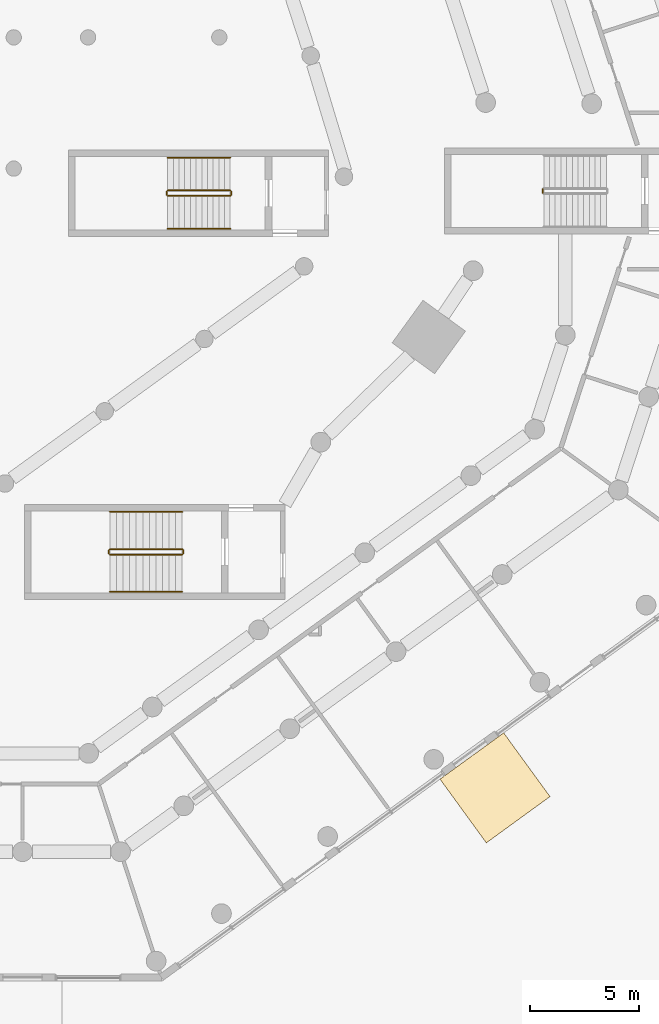
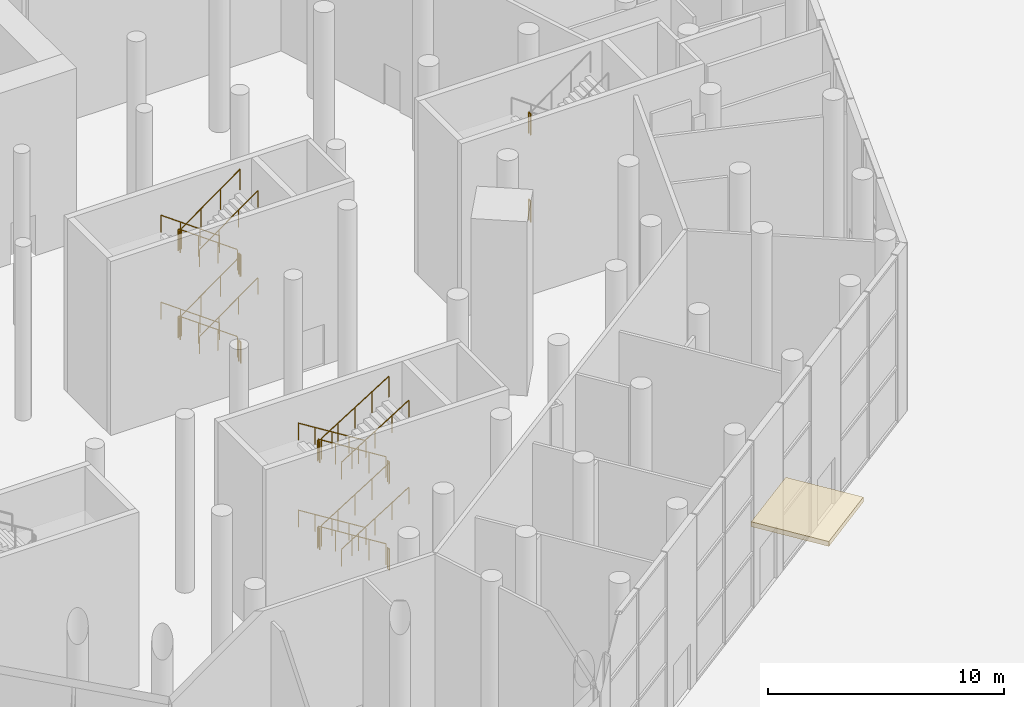
# One storey, part 21 of 25: 26 railings, 1 covering.
"""IFC4 building model written with IfcOpenShell, lengths in metres."""

from ifc_helpers import new_model, si_unit, direction, frame, origin, origin_2d, place, context, subcontext, project, spatial, rectangle, circle, extrude, material, layer, layer_set, type_object, element, save


model = new_model("IFC4")

# Units and contexts
model_context = context("Model", 3, precision=1e-05, world=origin(), true_north=direction((0.0, 1.0)))
body_context = subcontext(model_context, "Body", "Model", "MODEL_VIEW")
ifc_project = project(units=[si_unit("LENGTHUNIT", "METRE"), si_unit("AREAUNIT", "SQUARE_METRE"), si_unit("VOLUMEUNIT", "CUBIC_METRE"), si_unit("PLANEANGLEUNIT", "RADIAN"), si_unit("MASSUNIT", "GRAM", prefix="KILO")], contexts=[model_context])

# Site, building, storey
site_placement = place(None, origin())
site = spatial("IfcSite", under=ifc_project, at=site_placement, CompositionType="ELEMENT")
building_placement = place(site_placement, origin())
building = spatial("IfcBuilding", under=site, at=building_placement, Name="White Candle Pilgrim Tower", CompositionType="ELEMENT")
storey_placement = place(building_placement, origin())
storey = spatial("IfcBuildingStorey", under=building, at=storey_placement, Name="L00", CompositionType="ELEMENT", Elevation=0.0)

# Covering
ifc_material_1 = material(Name="Zinc standing seam on steel S355", Category="steel")
ifc_layer = layer(ifc_material_1, 0.25)
ifc_layer_set = layer_set([ifc_layer], Name="Entrance canopy CL1 250")
covering_type = type_object("IfcCoveringType", Name="Entrance canopy CL1 250", PredefinedType="ROOFING", material=ifc_layer_set)
covering_placement = place(storey_placement, frame((94.607421875, 32.682861328125, 4.39990234375), z_axis=(0.0, 0.0, 1.0), x_axis=(0.809016991061, 0.587785256853, 0.0)))
element("IfcCovering", 1, at=covering_placement, inside=storey, type_object=covering_type, Name="Entrance canopy SE", PredefinedType="ROOFING", context=body_context, shape_type="SweptSolid", body=[
    extrude(rectangle(XDim=3.60009765625, YDim=3.60009765625, at=origin_2d()), origin(), (0.0, 0.0, 1.0), 0.25),
])

# Railings
ifc_material_2 = material(Name="Stainless steel", Category="steel")
railing_type_1 = type_object("IfcRailingType", Name="Stair guard stainless steel 1100 mm", PredefinedType="GUARDRAIL", material=ifc_material_2)
railing_1_placement = place(storey_placement, frame((82.5, 60.0, 0.1875)))
element("IfcRailing", 2, at=railing_1_placement, inside=storey, type_object=railing_type_1, Name="L00 ST4 stair guard 1", PredefinedType="GUARDRAIL", context=body_context, shape_type="SweptSolid", body=[
    extrude(circle(Radius=0.02392578125, at=origin_2d()), frame((0.0, 0.0, 1.076171875), z_axis=(-0.811100754333, 0.0, 0.584906459462), x_axis=(0.0, -1.0, 0.0)), (0.0, 0.0, 1.0), 3.526123046875),
    extrude(circle(Radius=0.02099609375, at=origin_2d()), origin(), (0.0, 0.0, 1.0), 1.052001953125),
    extrude(circle(Radius=0.02099609375, at=origin_2d()), frame((-0.953369140625, 0.0, 0.6875)), (0.0, 0.0, 1.0), 1.052001953125),
    extrude(circle(Radius=0.02099609375, at=origin_2d()), frame((-1.90673828125, 0.0, 1.375)), (0.0, 0.0, 1.0), 1.052001953125),
    extrude(circle(Radius=0.02099609375, at=origin_2d()), frame((-2.860107421875, 0.0, 2.0625)), (0.0, 0.0, 1.0), 1.052001953125),
])
railing_2_placement = place(storey_placement, frame((79.590087890625, 59.949951171875, 2.25)))
element("IfcRailing", 3, at=railing_2_placement, inside=storey, type_object=railing_type_1, Name="L00 ST4 stair guard 2", PredefinedType="GUARDRAIL", context=body_context, shape_type="SweptSolid", body=[
    extrude(circle(Radius=0.02392578125, at=origin_2d()), frame((0.0, 0.0, 1.076171875), z_axis=(0.0, -1.0, 0.0), x_axis=(1.0, 0.0, 0.0)), (0.0, 0.0, 1.0), 0.14990234375),
    extrude(circle(Radius=0.02099609375, at=origin_2d()), origin(), (0.0, 0.0, 1.0), 1.052001953125),
    extrude(circle(Radius=0.02099609375, at=origin_2d()), frame((0.0, -0.14990234375, 0.0)), (0.0, 0.0, 1.0), 1.052001953125),
])
railing_3_placement = place(storey_placement, frame((79.639892578125, 59.75, 2.4375)))
element("IfcRailing", 4, at=railing_3_placement, inside=storey, type_object=railing_type_1, Name="L00 ST4 stair guard 3", PredefinedType="GUARDRAIL", context=body_context, shape_type="SweptSolid", body=[
    extrude(circle(Radius=0.02392578125, at=origin_2d()), frame((0.0, 0.0, 1.076171875), z_axis=(0.811100754333, 0.0, 0.584906459462), x_axis=(0.0, 1.0, 0.0)), (0.0, 0.0, 1.0), 3.526123046875),
    extrude(circle(Radius=0.02099609375, at=origin_2d()), origin(), (0.0, 0.0, 1.0), 1.052001953125),
    extrude(circle(Radius=0.02099609375, at=origin_2d()), frame((0.953369140625, 0.0, 0.6875)), (0.0, 0.0, 1.0), 1.052001953125),
    extrude(circle(Radius=0.02099609375, at=origin_2d()), frame((1.90673828125, 0.0, 1.375)), (0.0, 0.0, 1.0), 1.052001953125),
    extrude(circle(Radius=0.02099609375, at=origin_2d()), frame((2.860107421875, 0.0, 2.0625)), (0.0, 0.0, 1.0), 1.052001953125),
])
railing_4_placement = place(storey_placement, frame((82.550048828125, 59.949951171875, 4.5)))
element("IfcRailing", 5, at=railing_4_placement, inside=storey, type_object=railing_type_1, Name="L00 ST4 stair guard 4", PredefinedType="GUARDRAIL", context=body_context, shape_type="SweptSolid", body=[
    extrude(circle(Radius=0.02392578125, at=origin_2d()), frame((0.0, 0.0, 1.076171875), z_axis=(0.0, -1.0, 0.0), x_axis=(1.0, 0.0, 0.0)), (0.0, 0.0, 1.0), 0.14990234375),
    extrude(circle(Radius=0.02099609375, at=origin_2d()), origin(), (0.0, 0.0, 1.0), 1.052001953125),
    extrude(circle(Radius=0.02099609375, at=origin_2d()), frame((0.0, -0.14990234375, 0.0)), (0.0, 0.0, 1.0), 1.052001953125),
])
railing_5_placement = place(storey_placement, frame((82.5, 60.0, 4.6875)))
element("IfcRailing", 6, at=railing_5_placement, inside=storey, type_object=railing_type_1, Name="L00 ST4 stair guard 5", PredefinedType="GUARDRAIL", context=body_context, shape_type="SweptSolid", body=[
    extrude(circle(Radius=0.02392578125, at=origin_2d()), frame((0.0, 0.0, 1.076171875), z_axis=(-0.811100754333, 0.0, 0.584906459462), x_axis=(0.0, -1.0, 0.0)), (0.0, 0.0, 1.0), 3.526123046875),
    extrude(circle(Radius=0.02099609375, at=origin_2d()), origin(), (0.0, 0.0, 1.0), 1.052001953125),
    extrude(circle(Radius=0.02099609375, at=origin_2d()), frame((-0.953369140625, 0.0, 0.6875)), (0.0, 0.0, 1.0), 1.052001953125),
    extrude(circle(Radius=0.02099609375, at=origin_2d()), frame((-1.90673828125, 0.0, 1.375)), (0.0, 0.0, 1.0), 1.052001953125),
    extrude(circle(Radius=0.02099609375, at=origin_2d()), frame((-2.860107421875, 0.0, 2.0625)), (0.0, 0.0, 1.0), 1.052001953125),
])
railing_6_placement = place(storey_placement, frame((79.590087890625, 59.949951171875, 6.75)))
element("IfcRailing", 7, at=railing_6_placement, inside=storey, type_object=railing_type_1, Name="L00 ST4 stair guard 6", PredefinedType="GUARDRAIL", context=body_context, shape_type="SweptSolid", body=[
    extrude(circle(Radius=0.02392578125, at=origin_2d()), frame((0.0, 0.0, 1.076171875), z_axis=(0.0, -1.0, 0.0), x_axis=(1.0, 0.0, 0.0)), (0.0, 0.0, 1.0), 0.14990234375),
    extrude(circle(Radius=0.02099609375, at=origin_2d()), origin(), (0.0, 0.0, 1.0), 1.052001953125),
    extrude(circle(Radius=0.02099609375, at=origin_2d()), frame((0.0, -0.14990234375, 0.0)), (0.0, 0.0, 1.0), 1.052001953125),
])
railing_7_placement = place(storey_placement, frame((79.639892578125, 59.75, 6.9375)))
element("IfcRailing", 8, at=railing_7_placement, inside=storey, type_object=railing_type_1, Name="L00 ST4 stair guard 7", PredefinedType="GUARDRAIL", context=body_context, shape_type="SweptSolid", body=[
    extrude(circle(Radius=0.02392578125, at=origin_2d()), frame((0.0, 0.0, 1.076171875), z_axis=(0.811100754333, 0.0, 0.584906459462), x_axis=(0.0, 1.0, 0.0)), (0.0, 0.0, 1.0), 3.526123046875),
    extrude(circle(Radius=0.02099609375, at=origin_2d()), origin(), (0.0, 0.0, 1.0), 1.052001953125),
    extrude(circle(Radius=0.02099609375, at=origin_2d()), frame((0.953369140625, 0.0, 0.6875)), (0.0, 0.0, 1.0), 1.052001953125),
    extrude(circle(Radius=0.02099609375, at=origin_2d()), frame((1.90673828125, 0.0, 1.375)), (0.0, 0.0, 1.0), 1.052001953125),
    extrude(circle(Radius=0.02099609375, at=origin_2d()), frame((2.860107421875, 0.0, 2.0625)), (0.0, 0.0, 1.0), 1.052001953125),
])
railing_8_placement = place(storey_placement, frame((82.550048828125, 59.949951171875, 0.0)))
element("IfcRailing", 9, at=railing_8_placement, inside=storey, type_object=railing_type_1, Name="L00 ST4 stair guard 8", PredefinedType="GUARDRAIL", context=body_context, shape_type="SweptSolid", body=[
    extrude(circle(Radius=0.02392578125, at=origin_2d()), frame((0.0, 0.0, 1.076171875), z_axis=(0.0, -1.0, 0.0), x_axis=(1.0, 0.0, 0.0)), (0.0, 0.0, 1.0), 0.14990234375),
    extrude(circle(Radius=0.02099609375, at=origin_2d()), origin(), (0.0, 0.0, 1.0), 1.052001953125),
    extrude(circle(Radius=0.02099609375, at=origin_2d()), frame((0.0, -0.14990234375, 0.0)), (0.0, 0.0, 1.0), 1.052001953125),
])
railing_9_placement = place(storey_placement, frame((80.300048828125, 43.60009765625, 0.1875)))
element("IfcRailing", 10, at=railing_9_placement, inside=storey, type_object=railing_type_1, Name="L00 ST7 stair guard 1", PredefinedType="GUARDRAIL", context=body_context, shape_type="SweptSolid", body=[
    extrude(circle(Radius=0.02392578125, at=origin_2d()), frame((0.0, 0.0, 1.076171875), z_axis=(-0.848001828478, 0.0, 0.529993300805), x_axis=(0.0, -1.0, 0.0)), (0.0, 0.0, 1.0), 3.8916015625),
    extrude(circle(Radius=0.02099609375, at=origin_2d()), origin(), (0.0, 0.0, 1.0), 1.052001953125),
    extrude(circle(Radius=0.02099609375, at=origin_2d()), frame((-0.824951171875, 0.0, 0.515625)), (0.0, 0.0, 1.0), 1.052001953125),
    extrude(circle(Radius=0.02099609375, at=origin_2d()), frame((-1.64990234375, 0.0, 1.03125)), (0.0, 0.0, 1.0), 1.052001953125),
    extrude(circle(Radius=0.02099609375, at=origin_2d()), frame((-2.47509765625, 0.0, 1.546875)), (0.0, 0.0, 1.0), 1.052001953125),
    extrude(circle(Radius=0.02099609375, at=origin_2d()), frame((-3.300048828125, 0.0, 2.0625)), (0.0, 0.0, 1.0), 1.052001953125),
])
railing_10_placement = place(storey_placement, frame((76.949951171875, 43.550048828125, 2.25)))
element("IfcRailing", 11, at=railing_10_placement, inside=storey, type_object=railing_type_1, Name="L00 ST7 stair guard 2", PredefinedType="GUARDRAIL", context=body_context, shape_type="SweptSolid", body=[
    extrude(circle(Radius=0.02392578125, at=origin_2d()), frame((0.0, 0.0, 1.076171875), z_axis=(0.0, -1.0, 0.0), x_axis=(1.0, 0.0, 0.0)), (0.0, 0.0, 1.0), 0.150146484375),
    extrude(circle(Radius=0.02099609375, at=origin_2d()), origin(), (0.0, 0.0, 1.0), 1.052001953125),
    extrude(circle(Radius=0.02099609375, at=origin_2d()), frame((0.0, -0.150146484375, 0.0)), (0.0, 0.0, 1.0), 1.052001953125),
])
railing_11_placement = place(storey_placement, frame((77.0, 43.35009765625, 2.4375)))
element("IfcRailing", 12, at=railing_11_placement, inside=storey, type_object=railing_type_1, Name="L00 ST7 stair guard 3", PredefinedType="GUARDRAIL", context=body_context, shape_type="SweptSolid", body=[
    extrude(circle(Radius=0.02392578125, at=origin_2d()), frame((0.0, 0.0, 1.076171875), z_axis=(0.848001828478, 0.0, 0.529993300805), x_axis=(0.0, 1.0, 0.0)), (0.0, 0.0, 1.0), 3.8916015625),
    extrude(circle(Radius=0.02099609375, at=origin_2d()), origin(), (0.0, 0.0, 1.0), 1.052001953125),
    extrude(circle(Radius=0.02099609375, at=origin_2d()), frame((0.824951171875, 0.0, 0.515625)), (0.0, 0.0, 1.0), 1.052001953125),
    extrude(circle(Radius=0.02099609375, at=origin_2d()), frame((1.64990234375, 0.0, 1.03125)), (0.0, 0.0, 1.0), 1.052001953125),
    extrude(circle(Radius=0.02099609375, at=origin_2d()), frame((2.47509765625, 0.0, 1.546875)), (0.0, 0.0, 1.0), 1.052001953125),
    extrude(circle(Radius=0.02099609375, at=origin_2d()), frame((3.300048828125, 0.0, 2.0625)), (0.0, 0.0, 1.0), 1.052001953125),
])
railing_12_placement = place(storey_placement, frame((80.35009765625, 43.550048828125, 4.5)))
element("IfcRailing", 13, at=railing_12_placement, inside=storey, type_object=railing_type_1, Name="L00 ST7 stair guard 4", PredefinedType="GUARDRAIL", context=body_context, shape_type="SweptSolid", body=[
    extrude(circle(Radius=0.02392578125, at=origin_2d()), frame((0.0, 0.0, 1.076171875), z_axis=(0.0, -1.0, 0.0), x_axis=(1.0, 0.0, 0.0)), (0.0, 0.0, 1.0), 0.150146484375),
    extrude(circle(Radius=0.02099609375, at=origin_2d()), origin(), (0.0, 0.0, 1.0), 1.052001953125),
    extrude(circle(Radius=0.02099609375, at=origin_2d()), frame((0.0, -0.150146484375, 0.0)), (0.0, 0.0, 1.0), 1.052001953125),
])
railing_13_placement = place(storey_placement, frame((80.300048828125, 43.60009765625, 4.6875)))
element("IfcRailing", 14, at=railing_13_placement, inside=storey, type_object=railing_type_1, Name="L00 ST7 stair guard 5", PredefinedType="GUARDRAIL", context=body_context, shape_type="SweptSolid", body=[
    extrude(circle(Radius=0.02392578125, at=origin_2d()), frame((0.0, 0.0, 1.076171875), z_axis=(-0.848001828478, 0.0, 0.529993300805), x_axis=(0.0, -1.0, 0.0)), (0.0, 0.0, 1.0), 3.8916015625),
    extrude(circle(Radius=0.02099609375, at=origin_2d()), origin(), (0.0, 0.0, 1.0), 1.052001953125),
    extrude(circle(Radius=0.02099609375, at=origin_2d()), frame((-0.824951171875, 0.0, 0.515625)), (0.0, 0.0, 1.0), 1.052001953125),
    extrude(circle(Radius=0.02099609375, at=origin_2d()), frame((-1.64990234375, 0.0, 1.03125)), (0.0, 0.0, 1.0), 1.052001953125),
    extrude(circle(Radius=0.02099609375, at=origin_2d()), frame((-2.47509765625, 0.0, 1.546875)), (0.0, 0.0, 1.0), 1.052001953125),
    extrude(circle(Radius=0.02099609375, at=origin_2d()), frame((-3.300048828125, 0.0, 2.0625)), (0.0, 0.0, 1.0), 1.052001953125),
])
railing_14_placement = place(storey_placement, frame((76.949951171875, 43.550048828125, 6.75)))
element("IfcRailing", 15, at=railing_14_placement, inside=storey, type_object=railing_type_1, Name="L00 ST7 stair guard 6", PredefinedType="GUARDRAIL", context=body_context, shape_type="SweptSolid", body=[
    extrude(circle(Radius=0.02392578125, at=origin_2d()), frame((0.0, 0.0, 1.076171875), z_axis=(0.0, -1.0, 0.0), x_axis=(1.0, 0.0, 0.0)), (0.0, 0.0, 1.0), 0.150146484375),
    extrude(circle(Radius=0.02099609375, at=origin_2d()), origin(), (0.0, 0.0, 1.0), 1.052001953125),
    extrude(circle(Radius=0.02099609375, at=origin_2d()), frame((0.0, -0.150146484375, 0.0)), (0.0, 0.0, 1.0), 1.052001953125),
])
railing_15_placement = place(storey_placement, frame((77.0, 43.35009765625, 6.9375)))
element("IfcRailing", 16, at=railing_15_placement, inside=storey, type_object=railing_type_1, Name="L00 ST7 stair guard 7", PredefinedType="GUARDRAIL", context=body_context, shape_type="SweptSolid", body=[
    extrude(circle(Radius=0.02392578125, at=origin_2d()), frame((0.0, 0.0, 1.076171875), z_axis=(0.848001828478, 0.0, 0.529993300805), x_axis=(0.0, 1.0, 0.0)), (0.0, 0.0, 1.0), 3.8916015625),
    extrude(circle(Radius=0.02099609375, at=origin_2d()), origin(), (0.0, 0.0, 1.0), 1.052001953125),
    extrude(circle(Radius=0.02099609375, at=origin_2d()), frame((0.824951171875, 0.0, 0.515625)), (0.0, 0.0, 1.0), 1.052001953125),
    extrude(circle(Radius=0.02099609375, at=origin_2d()), frame((1.64990234375, 0.0, 1.03125)), (0.0, 0.0, 1.0), 1.052001953125),
    extrude(circle(Radius=0.02099609375, at=origin_2d()), frame((2.47509765625, 0.0, 1.546875)), (0.0, 0.0, 1.0), 1.052001953125),
    extrude(circle(Radius=0.02099609375, at=origin_2d()), frame((3.300048828125, 0.0, 2.0625)), (0.0, 0.0, 1.0), 1.052001953125),
])
for number, where, name in (
    (17, (80.35009765625, 43.550048828125, 0.0), "L00 ST7 stair guard 8"),
    (18, (96.7900390625, 60.050048828125, 2.25), "L00 ST9 stair guard 2"),
    (19, (96.7900390625, 60.050048828125, 6.75), "L00 ST9 stair guard 6"),
):
    element("IfcRailing", number, at=place(storey_placement, frame(where)), inside=storey, type_object=railing_type_1, Name=name, PredefinedType="GUARDRAIL", context=body_context, shape_type="SweptSolid", body=[
        extrude(circle(Radius=0.02392578125, at=origin_2d()), frame((0.0, 0.0, 1.076171875), z_axis=(0.0, -1.0, 0.0), x_axis=(1.0, 0.0, 0.0)), (0.0, 0.0, 1.0), 0.150146484375),
        extrude(circle(Radius=0.02099609375, at=origin_2d()), origin(), (0.0, 0.0, 1.0), 1.052001953125),
        extrude(circle(Radius=0.02099609375, at=origin_2d()), frame((0.0, -0.150146484375, 0.0)), (0.0, 0.0, 1.0), 1.052001953125),
    ])
railing_type_2 = type_object("IfcRailingType", Name="Stair handrail stainless steel", PredefinedType="HANDRAIL", material=ifc_material_2)
railing_16_placement = place(storey_placement, frame((82.5, 61.5, 0.1875)))
element("IfcRailing", 20, at=railing_16_placement, inside=storey, type_object=railing_type_2, Name="L00 ST4 stair handrail 1", PredefinedType="HANDRAIL", context=body_context, shape_type="SweptSolid", body=[
    extrude(circle(Radius=0.02392578125, at=origin_2d()), frame((0.0, 0.0, 0.8759765625), z_axis=(-0.811100754333, 0.0, 0.584906459462), x_axis=(0.0, -1.0, 0.0)), (0.0, 0.0, 1.0), 3.526123046875),
    extrude(circle(Radius=0.02099609375, at=origin_2d()), origin(), (0.0, 0.0, 1.0), 0.851806640625),
    extrude(circle(Radius=0.02099609375, at=origin_2d()), frame((-0.953369140625, 0.0, 0.6875)), (0.0, 0.0, 1.0), 0.851806640625),
    extrude(circle(Radius=0.02099609375, at=origin_2d()), frame((-1.90673828125, 0.0, 1.375)), (0.0, 0.0, 1.0), 0.851806640625),
    extrude(circle(Radius=0.02099609375, at=origin_2d()), frame((-2.860107421875, 0.0, 2.0625)), (0.0, 0.0, 1.0), 0.851806640625),
])
railing_17_placement = place(storey_placement, frame((79.639892578125, 58.25, 2.4375)))
element("IfcRailing", 21, at=railing_17_placement, inside=storey, type_object=railing_type_2, Name="L00 ST4 stair handrail 2", PredefinedType="HANDRAIL", context=body_context, shape_type="SweptSolid", body=[
    extrude(circle(Radius=0.02392578125, at=origin_2d()), frame((0.0, 0.0, 0.8759765625), z_axis=(0.811100754333, 0.0, 0.584906459462), x_axis=(0.0, 1.0, 0.0)), (0.0, 0.0, 1.0), 3.526123046875),
    extrude(circle(Radius=0.02099609375, at=origin_2d()), origin(), (0.0, 0.0, 1.0), 0.851806640625),
    extrude(circle(Radius=0.02099609375, at=origin_2d()), frame((0.953369140625, 0.0, 0.6875)), (0.0, 0.0, 1.0), 0.851806640625),
    extrude(circle(Radius=0.02099609375, at=origin_2d()), frame((1.90673828125, 0.0, 1.375)), (0.0, 0.0, 1.0), 0.851806640625),
    extrude(circle(Radius=0.02099609375, at=origin_2d()), frame((2.860107421875, 0.0, 2.0625)), (0.0, 0.0, 1.0), 0.851806640625),
])
railing_18_placement = place(storey_placement, frame((82.5, 61.5, 4.6875)))
element("IfcRailing", 22, at=railing_18_placement, inside=storey, type_object=railing_type_2, Name="L00 ST4 stair handrail 3", PredefinedType="HANDRAIL", context=body_context, shape_type="SweptSolid", body=[
    extrude(circle(Radius=0.02392578125, at=origin_2d()), frame((0.0, 0.0, 0.8759765625), z_axis=(-0.811100754333, 0.0, 0.584906459462), x_axis=(0.0, -1.0, 0.0)), (0.0, 0.0, 1.0), 3.526123046875),
    extrude(circle(Radius=0.02099609375, at=origin_2d()), origin(), (0.0, 0.0, 1.0), 0.851806640625),
    extrude(circle(Radius=0.02099609375, at=origin_2d()), frame((-0.953369140625, 0.0, 0.6875)), (0.0, 0.0, 1.0), 0.851806640625),
    extrude(circle(Radius=0.02099609375, at=origin_2d()), frame((-1.90673828125, 0.0, 1.375)), (0.0, 0.0, 1.0), 0.851806640625),
    extrude(circle(Radius=0.02099609375, at=origin_2d()), frame((-2.860107421875, 0.0, 2.0625)), (0.0, 0.0, 1.0), 0.851806640625),
])
railing_19_placement = place(storey_placement, frame((79.639892578125, 58.25, 6.9375)))
element("IfcRailing", 23, at=railing_19_placement, inside=storey, type_object=railing_type_2, Name="L00 ST4 stair handrail 4", PredefinedType="HANDRAIL", context=body_context, shape_type="SweptSolid", body=[
    extrude(circle(Radius=0.02392578125, at=origin_2d()), frame((0.0, 0.0, 0.8759765625), z_axis=(0.811100754333, 0.0, 0.584906459462), x_axis=(0.0, 1.0, 0.0)), (0.0, 0.0, 1.0), 3.526123046875),
    extrude(circle(Radius=0.02099609375, at=origin_2d()), origin(), (0.0, 0.0, 1.0), 0.851806640625),
    extrude(circle(Radius=0.02099609375, at=origin_2d()), frame((0.953369140625, 0.0, 0.6875)), (0.0, 0.0, 1.0), 0.851806640625),
    extrude(circle(Radius=0.02099609375, at=origin_2d()), frame((1.90673828125, 0.0, 1.375)), (0.0, 0.0, 1.0), 0.851806640625),
    extrude(circle(Radius=0.02099609375, at=origin_2d()), frame((2.860107421875, 0.0, 2.0625)), (0.0, 0.0, 1.0), 0.851806640625),
])
railing_20_placement = place(storey_placement, frame((80.300048828125, 45.300048828125, 0.1875)))
element("IfcRailing", 24, at=railing_20_placement, inside=storey, type_object=railing_type_2, Name="L00 ST7 stair handrail 1", PredefinedType="HANDRAIL", context=body_context, shape_type="SweptSolid", body=[
    extrude(circle(Radius=0.02392578125, at=origin_2d()), frame((0.0, 0.0, 0.8759765625), z_axis=(-0.848001828478, 0.0, 0.529993300805), x_axis=(0.0, -1.0, 0.0)), (0.0, 0.0, 1.0), 3.8916015625),
    extrude(circle(Radius=0.02099609375, at=origin_2d()), origin(), (0.0, 0.0, 1.0), 0.851806640625),
    extrude(circle(Radius=0.02099609375, at=origin_2d()), frame((-0.824951171875, 0.0, 0.515625)), (0.0, 0.0, 1.0), 0.851806640625),
    extrude(circle(Radius=0.02099609375, at=origin_2d()), frame((-1.64990234375, 0.0, 1.03125)), (0.0, 0.0, 1.0), 0.851806640625),
    extrude(circle(Radius=0.02099609375, at=origin_2d()), frame((-2.47509765625, 0.0, 1.546875)), (0.0, 0.0, 1.0), 0.851806640625),
    extrude(circle(Radius=0.02099609375, at=origin_2d()), frame((-3.300048828125, 0.0, 2.0625)), (0.0, 0.0, 1.0), 0.851806640625),
])
railing_21_placement = place(storey_placement, frame((77.0, 41.64990234375, 2.4375)))
element("IfcRailing", 25, at=railing_21_placement, inside=storey, type_object=railing_type_2, Name="L00 ST7 stair handrail 2", PredefinedType="HANDRAIL", context=body_context, shape_type="SweptSolid", body=[
    extrude(circle(Radius=0.02392578125, at=origin_2d()), frame((0.0, 0.0, 0.8759765625), z_axis=(0.848001828478, 0.0, 0.529993300805), x_axis=(0.0, 1.0, 0.0)), (0.0, 0.0, 1.0), 3.8916015625),
    extrude(circle(Radius=0.02099609375, at=origin_2d()), origin(), (0.0, 0.0, 1.0), 0.851806640625),
    extrude(circle(Radius=0.02099609375, at=origin_2d()), frame((0.824951171875, 0.0, 0.515625)), (0.0, 0.0, 1.0), 0.851806640625),
    extrude(circle(Radius=0.02099609375, at=origin_2d()), frame((1.64990234375, 0.0, 1.03125)), (0.0, 0.0, 1.0), 0.851806640625),
    extrude(circle(Radius=0.02099609375, at=origin_2d()), frame((2.47509765625, 0.0, 1.546875)), (0.0, 0.0, 1.0), 0.851806640625),
    extrude(circle(Radius=0.02099609375, at=origin_2d()), frame((3.300048828125, 0.0, 2.0625)), (0.0, 0.0, 1.0), 0.851806640625),
])
railing_22_placement = place(storey_placement, frame((80.300048828125, 45.300048828125, 4.6875)))
element("IfcRailing", 26, at=railing_22_placement, inside=storey, type_object=railing_type_2, Name="L00 ST7 stair handrail 3", PredefinedType="HANDRAIL", context=body_context, shape_type="SweptSolid", body=[
    extrude(circle(Radius=0.02392578125, at=origin_2d()), frame((0.0, 0.0, 0.8759765625), z_axis=(-0.848001828478, 0.0, 0.529993300805), x_axis=(0.0, -1.0, 0.0)), (0.0, 0.0, 1.0), 3.8916015625),
    extrude(circle(Radius=0.02099609375, at=origin_2d()), origin(), (0.0, 0.0, 1.0), 0.851806640625),
    extrude(circle(Radius=0.02099609375, at=origin_2d()), frame((-0.824951171875, 0.0, 0.515625)), (0.0, 0.0, 1.0), 0.851806640625),
    extrude(circle(Radius=0.02099609375, at=origin_2d()), frame((-1.64990234375, 0.0, 1.03125)), (0.0, 0.0, 1.0), 0.851806640625),
    extrude(circle(Radius=0.02099609375, at=origin_2d()), frame((-2.47509765625, 0.0, 1.546875)), (0.0, 0.0, 1.0), 0.851806640625),
    extrude(circle(Radius=0.02099609375, at=origin_2d()), frame((-3.300048828125, 0.0, 2.0625)), (0.0, 0.0, 1.0), 0.851806640625),
])
railing_23_placement = place(storey_placement, frame((77.0, 41.64990234375, 6.9375)))
element("IfcRailing", 27, at=railing_23_placement, inside=storey, type_object=railing_type_2, Name="L00 ST7 stair handrail 4", PredefinedType="HANDRAIL", context=body_context, shape_type="SweptSolid", body=[
    extrude(circle(Radius=0.02392578125, at=origin_2d()), frame((0.0, 0.0, 0.8759765625), z_axis=(0.848001828478, 0.0, 0.529993300805), x_axis=(0.0, 1.0, 0.0)), (0.0, 0.0, 1.0), 3.8916015625),
    extrude(circle(Radius=0.02099609375, at=origin_2d()), origin(), (0.0, 0.0, 1.0), 0.851806640625),
    extrude(circle(Radius=0.02099609375, at=origin_2d()), frame((0.824951171875, 0.0, 0.515625)), (0.0, 0.0, 1.0), 0.851806640625),
    extrude(circle(Radius=0.02099609375, at=origin_2d()), frame((1.64990234375, 0.0, 1.03125)), (0.0, 0.0, 1.0), 0.851806640625),
    extrude(circle(Radius=0.02099609375, at=origin_2d()), frame((2.47509765625, 0.0, 1.546875)), (0.0, 0.0, 1.0), 0.851806640625),
    extrude(circle(Radius=0.02099609375, at=origin_2d()), frame((3.300048828125, 0.0, 2.0625)), (0.0, 0.0, 1.0), 0.851806640625),
])

save(model, "model.ifc")
